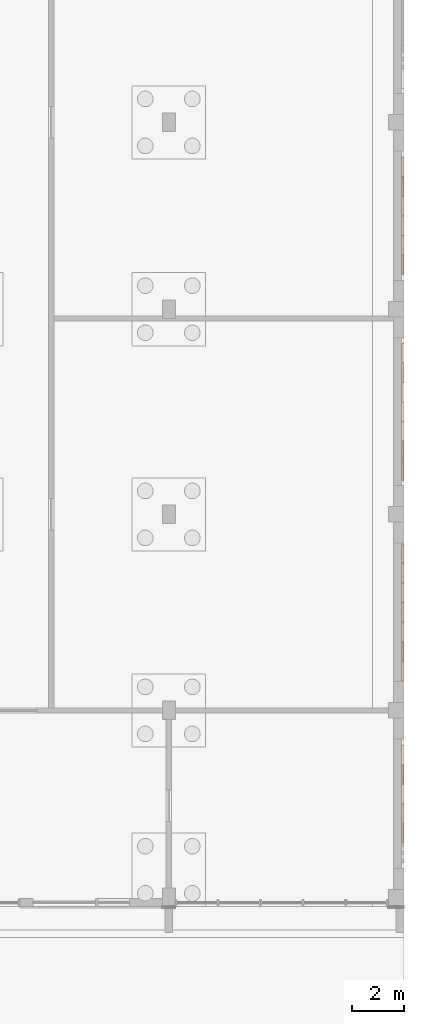
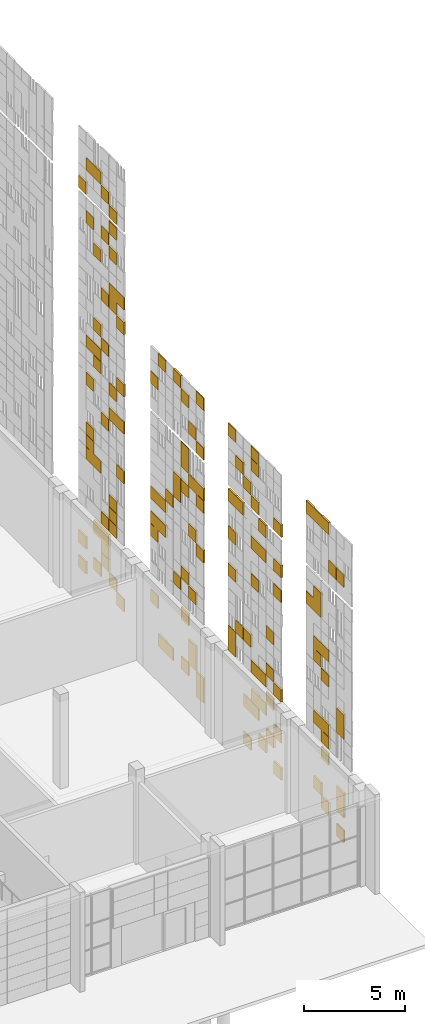
# One storey, part 105 of 125: 1 covering.
"""IFC4 building model written with IfcOpenShell, lengths in metres."""

from ifc_helpers import new_model, si_unit, direction, frame, origin, origin_2d, place, context, subcontext, project, spatial, rectangle, extrude, material, layer, layer_set, type_object, element, save


model = new_model("IFC4")

# Units and contexts
model_context = context("Model", 3, precision=1e-05, world=origin(), true_north=direction((0.0, 1.0)))
body_context = subcontext(model_context, "Body", "Model", "MODEL_VIEW")
ifc_project = project(units=[si_unit("LENGTHUNIT", "METRE"), si_unit("AREAUNIT", "SQUARE_METRE"), si_unit("VOLUMEUNIT", "CUBIC_METRE"), si_unit("PLANEANGLEUNIT", "RADIAN"), si_unit("MASSUNIT", "GRAM", prefix="KILO")], contexts=[model_context])

# Site, building, storey
site_placement = place(None, origin())
site = spatial("IfcSite", under=ifc_project, at=site_placement, CompositionType="ELEMENT")
building_placement = place(site_placement, origin())
building = spatial("IfcBuilding", under=site, at=building_placement, Name="Sun Court Science Centre", CompositionType="ELEMENT")
storey_placement = place(building_placement, origin())
storey = spatial("IfcBuildingStorey", under=building, at=storey_placement, Name="L00", CompositionType="ELEMENT", Elevation=0.0)

# Covering
ifc_material = material(Name="Terracotta shade 2", Category="masonry")
ifc_layer = layer(ifc_material, 0.06005859375)
ifc_layer_set = layer_set([ifc_layer], Name="Terracotta shade 2")
covering_type = type_object("IfcCoveringType", Name="Terracotta pixel panel shade 2", PredefinedType="CLADDING", material=ifc_layer_set)
covering_placement = place(storey_placement, origin())
element("IfcCovering", 1, at=covering_placement, inside=storey, type_object=covering_type, Name="Terracotta pixel cladding shade 2 east party wall L00", PredefinedType="CLADDING", context=body_context, shape_type="SweptSolid", body=[
    extrude(rectangle(XDim=0.739990234375, YDim=0.10009765625, at=origin_2d()), frame((103.949951171875, 10.300048828125, 1.72998046875), z_axis=(0.0, 0.0, 1.0), x_axis=(0.0, -1.0, 0.0)), (0.0, 0.0, 1.0), 0.739990234375),
    extrude(rectangle(XDim=0.739990234375, YDim=0.10009765625, at=origin_2d()), frame((103.949951171875, 11.050048828125, 2.47998046875), z_axis=(0.0, 0.0, 1.0), x_axis=(0.0, -1.0, 0.0)), (0.0, 0.0, 1.0), 0.739990234375),
    extrude(rectangle(XDim=0.739990234375, YDim=0.10009765625, at=origin_2d()), frame((103.949951171875, 8.800048828125, 2.47998046875), z_axis=(0.0, 0.0, 1.0), x_axis=(0.0, -1.0, 0.0)), (0.0, 0.0, 1.0), 0.739990234375),
    extrude(rectangle(XDim=0.739990234375, YDim=0.10009765625, at=origin_2d()), frame((103.949951171875, 8.800048828125, 3.22998046875), z_axis=(0.0, 0.0, 1.0), x_axis=(0.0, -1.0, 0.0)), (0.0, 0.0, 1.0), 0.739990234375),
    extrude(rectangle(XDim=0.739990234375, YDim=0.06005859375, at=origin_2d()), frame((103.929931640625, 10.300048828125, 4.72998046875), z_axis=(0.0, 0.0, 1.0), x_axis=(0.0, -1.0, 0.0)), (0.0, 0.0, 1.0), 0.739990234375),
    extrude(rectangle(XDim=0.739990234375, YDim=0.06005859375, at=origin_2d()), frame((103.929931640625, 18.0, 0.97998046875), z_axis=(0.0, 0.0, 1.0), x_axis=(0.0, -1.0, 0.0)), (0.0, 0.0, 1.0), 0.739990234375),
    extrude(rectangle(XDim=0.739990234375, YDim=0.10009765625, at=origin_2d()), frame((103.949951171875, 16.5, 1.72998046875), z_axis=(0.0, 0.0, 1.0), x_axis=(0.0, -1.0, 0.0)), (0.0, 0.0, 1.0), 0.739990234375),
    extrude(rectangle(XDim=0.739990234375, YDim=0.10009765625, at=origin_2d()), frame((103.949951171875, 15.75, 2.47998046875), z_axis=(0.0, 0.0, 1.0), x_axis=(0.0, -1.0, 0.0)), (0.0, 0.0, 1.0), 0.739990234375),
    extrude(rectangle(XDim=0.739990234375, YDim=0.06005859375, at=origin_2d()), frame((103.929931640625, 18.0, 3.22998046875), z_axis=(0.0, 0.0, 1.0), x_axis=(0.0, -1.0, 0.0)), (0.0, 0.0, 1.0), 0.739990234375),
    extrude(rectangle(XDim=0.739990234375, YDim=0.10009765625, at=origin_2d()), frame((103.949951171875, 17.25, 3.22998046875), z_axis=(0.0, 0.0, 1.0), x_axis=(0.0, -1.0, 0.0)), (0.0, 0.0, 1.0), 0.739990234375),
    extrude(rectangle(XDim=0.739990234375, YDim=0.06005859375, at=origin_2d()), frame((103.929931640625, 15.0, 3.22998046875), z_axis=(0.0, 0.0, 1.0), x_axis=(0.0, -1.0, 0.0)), (0.0, 0.0, 1.0), 0.739990234375),
    extrude(rectangle(XDim=0.739990234375, YDim=0.10009765625, at=origin_2d()), frame((103.949951171875, 17.25, 3.97998046875), z_axis=(0.0, 0.0, 1.0), x_axis=(0.0, -1.0, 0.0)), (0.0, 0.0, 1.0), 0.739990234375),
    extrude(rectangle(XDim=0.739990234375, YDim=0.06005859375, at=origin_2d()), frame((103.929931640625, 16.5, 3.97998046875), z_axis=(0.0, 0.0, 1.0), x_axis=(0.0, -1.0, 0.0)), (0.0, 0.0, 1.0), 0.739990234375),
    extrude(rectangle(XDim=0.739990234375, YDim=0.06005859375, at=origin_2d()), frame((103.929931640625, 15.75, 4.72998046875), z_axis=(0.0, 0.0, 1.0), x_axis=(0.0, -1.0, 0.0)), (0.0, 0.0, 1.0), 0.739990234375),
    extrude(rectangle(XDim=0.739990234375, YDim=0.06005859375, at=origin_2d()), frame((103.929931640625, 22.675048828125, 0.97998046875), z_axis=(0.0, 0.0, 1.0), x_axis=(0.0, -1.0, 0.0)), (0.0, 0.0, 1.0), 0.739990234375),
    extrude(rectangle(XDim=0.739990234375, YDim=0.10009765625, at=origin_2d()), frame((103.949951171875, 26.425048828125, 1.72998046875), z_axis=(0.0, 0.0, 1.0), x_axis=(0.0, -1.0, 0.0)), (0.0, 0.0, 1.0), 0.739990234375),
    extrude(rectangle(XDim=0.739990234375, YDim=0.06005859375, at=origin_2d()), frame((103.929931640625, 25.675048828125, 1.72998046875), z_axis=(0.0, 0.0, 1.0), x_axis=(0.0, -1.0, 0.0)), (0.0, 0.0, 1.0), 0.739990234375),
    extrude(rectangle(XDim=0.739990234375, YDim=0.10009765625, at=origin_2d()), frame((103.949951171875, 24.175048828125, 1.72998046875), z_axis=(0.0, 0.0, 1.0), x_axis=(0.0, -1.0, 0.0)), (0.0, 0.0, 1.0), 0.739990234375),
    extrude(rectangle(XDim=0.739990234375, YDim=0.10009765625, at=origin_2d()), frame((103.949951171875, 22.675048828125, 1.72998046875), z_axis=(0.0, 0.0, 1.0), x_axis=(0.0, -1.0, 0.0)), (0.0, 0.0, 1.0), 0.739990234375),
    extrude(rectangle(XDim=0.739990234375, YDim=0.10009765625, at=origin_2d()), frame((103.949951171875, 23.425048828125, 2.47998046875), z_axis=(0.0, 0.0, 1.0), x_axis=(0.0, -1.0, 0.0)), (0.0, 0.0, 1.0), 0.739990234375),
    extrude(rectangle(XDim=0.739990234375, YDim=0.10009765625, at=origin_2d()), frame((103.949951171875, 23.425048828125, 3.22998046875), z_axis=(0.0, 0.0, 1.0), x_axis=(0.0, -1.0, 0.0)), (0.0, 0.0, 1.0), 0.739990234375),
    extrude(rectangle(XDim=0.739990234375, YDim=0.06005859375, at=origin_2d()), frame((103.929931640625, 27.175048828125, 3.97998046875), z_axis=(0.0, 0.0, 1.0), x_axis=(0.0, -1.0, 0.0)), (0.0, 0.0, 1.0), 0.739990234375),
    extrude(rectangle(XDim=0.739990234375, YDim=0.10009765625, at=origin_2d()), frame((103.949951171875, 24.175048828125, 4.72998046875), z_axis=(0.0, 0.0, 1.0), x_axis=(0.0, -1.0, 0.0)), (0.0, 0.0, 1.0), 0.739990234375),
    extrude(rectangle(XDim=0.739990234375, YDim=0.10009765625, at=origin_2d()), frame((103.949951171875, 34.300048828125, 1.72998046875), z_axis=(0.0, 0.0, 1.0), x_axis=(0.0, -1.0, 0.0)), (0.0, 0.0, 1.0), 0.739990234375),
    extrude(rectangle(XDim=0.739990234375, YDim=0.06005859375, at=origin_2d()), frame((103.929931640625, 30.550048828125, 1.72998046875), z_axis=(0.0, 0.0, 1.0), x_axis=(0.0, -1.0, 0.0)), (0.0, 0.0, 1.0), 0.739990234375),
    extrude(rectangle(XDim=0.739990234375, YDim=0.06005859375, at=origin_2d()), frame((103.929931640625, 32.800048828125, 2.47998046875), z_axis=(0.0, 0.0, 1.0), x_axis=(0.0, -1.0, 0.0)), (0.0, 0.0, 1.0), 0.739990234375),
    extrude(rectangle(XDim=0.739990234375, YDim=0.06005859375, at=origin_2d()), frame((103.929931640625, 31.300048828125, 2.47998046875), z_axis=(0.0, 0.0, 1.0), x_axis=(0.0, -1.0, 0.0)), (0.0, 0.0, 1.0), 0.739990234375),
    extrude(rectangle(XDim=0.739990234375, YDim=0.10009765625, at=origin_2d()), frame((103.949951171875, 34.300048828125, 3.22998046875), z_axis=(0.0, 0.0, 1.0), x_axis=(0.0, -1.0, 0.0)), (0.0, 0.0, 1.0), 0.739990234375),
    extrude(rectangle(XDim=0.739990234375, YDim=0.10009765625, at=origin_2d()), frame((103.949951171875, 32.050048828125, 3.22998046875), z_axis=(0.0, 0.0, 1.0), x_axis=(0.0, -1.0, 0.0)), (0.0, 0.0, 1.0), 0.739990234375),
    extrude(rectangle(XDim=0.739990234375, YDim=0.10009765625, at=origin_2d()), frame((103.949951171875, 32.050048828125, 3.97998046875), z_axis=(0.0, 0.0, 1.0), x_axis=(0.0, -1.0, 0.0)), (0.0, 0.0, 1.0), 0.739990234375),
    extrude(rectangle(XDim=0.739990234375, YDim=0.10009765625, at=origin_2d()), frame((103.949951171875, 32.800048828125, 4.72998046875), z_axis=(0.0, 0.0, 1.0), x_axis=(0.0, -1.0, 0.0)), (0.0, 0.0, 1.0), 0.739990234375),
    extrude(rectangle(XDim=0.739990234375, YDim=0.10009765625, at=origin_2d()), frame((103.949951171875, 32.050048828125, 4.72998046875), z_axis=(0.0, 0.0, 1.0), x_axis=(0.0, -1.0, 0.0)), (0.0, 0.0, 1.0), 0.739990234375),
    extrude(rectangle(XDim=0.739990234375, YDim=0.10009765625, at=origin_2d()), frame((103.949951171875, 10.300048828125, 5.705078125), z_axis=(0.0, 0.0, 1.0), x_axis=(0.0, -1.0, 0.0)), (0.0, 0.0, 1.0), 0.739990234375),
    extrude(rectangle(XDim=0.739990234375, YDim=0.10009765625, at=origin_2d()), frame((103.949951171875, 11.050048828125, 6.455078125), z_axis=(0.0, 0.0, 1.0), x_axis=(0.0, -1.0, 0.0)), (0.0, 0.0, 1.0), 0.739990234375),
    extrude(rectangle(XDim=0.739990234375, YDim=0.10009765625, at=origin_2d()), frame((103.949951171875, 10.300048828125, 6.455078125), z_axis=(0.0, 0.0, 1.0), x_axis=(0.0, -1.0, 0.0)), (0.0, 0.0, 1.0), 0.739990234375),
    extrude(rectangle(XDim=0.739990234375, YDim=0.06005859375, at=origin_2d()), frame((103.929931640625, 8.800048828125, 7.205078125), z_axis=(0.0, 0.0, 1.0), x_axis=(0.0, -1.0, 0.0)), (0.0, 0.0, 1.0), 0.739990234375),
    extrude(rectangle(XDim=0.739990234375, YDim=0.10009765625, at=origin_2d()), frame((103.949951171875, 8.800048828125, 7.955078125), z_axis=(0.0, 0.0, 1.0), x_axis=(0.0, -1.0, 0.0)), (0.0, 0.0, 1.0), 0.739990234375),
    extrude(rectangle(XDim=0.739990234375, YDim=0.06005859375, at=origin_2d()), frame((103.929931640625, 10.300048828125, 9.455078125), z_axis=(0.0, 0.0, 1.0), x_axis=(0.0, -1.0, 0.0)), (0.0, 0.0, 1.0), 0.739990234375),
    extrude(rectangle(XDim=0.739990234375, YDim=0.10009765625, at=origin_2d()), frame((103.949951171875, 11.050048828125, 10.205078125), z_axis=(0.0, 0.0, 1.0), x_axis=(0.0, -1.0, 0.0)), (0.0, 0.0, 1.0), 0.739990234375),
    extrude(rectangle(XDim=0.739990234375, YDim=0.06005859375, at=origin_2d()), frame((103.929931640625, 19.5, 5.705078125), z_axis=(0.0, 0.0, 1.0), x_axis=(0.0, -1.0, 0.0)), (0.0, 0.0, 1.0), 0.739990234375),
    extrude(rectangle(XDim=0.739990234375, YDim=0.10009765625, at=origin_2d()), frame((103.949951171875, 17.25, 5.705078125), z_axis=(0.0, 0.0, 1.0), x_axis=(0.0, -1.0, 0.0)), (0.0, 0.0, 1.0), 0.739990234375),
    extrude(rectangle(XDim=0.739990234375, YDim=0.10009765625, at=origin_2d()), frame((103.949951171875, 16.5, 5.705078125), z_axis=(0.0, 0.0, 1.0), x_axis=(0.0, -1.0, 0.0)), (0.0, 0.0, 1.0), 0.739990234375),
    extrude(rectangle(XDim=0.739990234375, YDim=0.10009765625, at=origin_2d()), frame((103.949951171875, 15.0, 5.705078125), z_axis=(0.0, 0.0, 1.0), x_axis=(0.0, -1.0, 0.0)), (0.0, 0.0, 1.0), 0.739990234375),
    extrude(rectangle(XDim=0.739990234375, YDim=0.06005859375, at=origin_2d()), frame((103.929931640625, 19.5, 6.455078125), z_axis=(0.0, 0.0, 1.0), x_axis=(0.0, -1.0, 0.0)), (0.0, 0.0, 1.0), 0.739990234375),
    extrude(rectangle(XDim=0.739990234375, YDim=0.06005859375, at=origin_2d()), frame((103.929931640625, 15.75, 6.455078125), z_axis=(0.0, 0.0, 1.0), x_axis=(0.0, -1.0, 0.0)), (0.0, 0.0, 1.0), 0.739990234375),
    extrude(rectangle(XDim=0.739990234375, YDim=0.06005859375, at=origin_2d()), frame((103.929931640625, 18.75, 7.205078125), z_axis=(0.0, 0.0, 1.0), x_axis=(0.0, -1.0, 0.0)), (0.0, 0.0, 1.0), 0.739990234375),
    extrude(rectangle(XDim=0.739990234375, YDim=0.10009765625, at=origin_2d()), frame((103.949951171875, 18.0, 7.205078125), z_axis=(0.0, 0.0, 1.0), x_axis=(0.0, -1.0, 0.0)), (0.0, 0.0, 1.0), 0.739990234375),
    extrude(rectangle(XDim=0.739990234375, YDim=0.06005859375, at=origin_2d()), frame((103.929931640625, 15.75, 8.705078125), z_axis=(0.0, 0.0, 1.0), x_axis=(0.0, -1.0, 0.0)), (0.0, 0.0, 1.0), 0.739990234375),
    extrude(rectangle(XDim=0.739990234375, YDim=0.10009765625, at=origin_2d()), frame((103.949951171875, 19.5, 10.205078125), z_axis=(0.0, 0.0, 1.0), x_axis=(0.0, -1.0, 0.0)), (0.0, 0.0, 1.0), 0.739990234375),
    extrude(rectangle(XDim=0.739990234375, YDim=0.06005859375, at=origin_2d()), frame((103.929931640625, 24.925048828125, 6.455078125), z_axis=(0.0, 0.0, 1.0), x_axis=(0.0, -1.0, 0.0)), (0.0, 0.0, 1.0), 0.739990234375),
    extrude(rectangle(XDim=0.739990234375, YDim=0.10009765625, at=origin_2d()), frame((103.949951171875, 23.425048828125, 6.455078125), z_axis=(0.0, 0.0, 1.0), x_axis=(0.0, -1.0, 0.0)), (0.0, 0.0, 1.0), 0.739990234375),
    extrude(rectangle(XDim=0.739990234375, YDim=0.10009765625, at=origin_2d()), frame((103.949951171875, 24.175048828125, 7.205078125), z_axis=(0.0, 0.0, 1.0), x_axis=(0.0, -1.0, 0.0)), (0.0, 0.0, 1.0), 0.739990234375),
    extrude(rectangle(XDim=0.739990234375, YDim=0.06005859375, at=origin_2d()), frame((103.929931640625, 27.175048828125, 7.955078125), z_axis=(0.0, 0.0, 1.0), x_axis=(0.0, -1.0, 0.0)), (0.0, 0.0, 1.0), 0.739990234375),
    extrude(rectangle(XDim=0.739990234375, YDim=0.06005859375, at=origin_2d()), frame((103.929931640625, 27.175048828125, 8.705078125), z_axis=(0.0, 0.0, 1.0), x_axis=(0.0, -1.0, 0.0)), (0.0, 0.0, 1.0), 0.739990234375),
    extrude(rectangle(XDim=0.739990234375, YDim=0.10009765625, at=origin_2d()), frame((103.949951171875, 26.425048828125, 8.705078125), z_axis=(0.0, 0.0, 1.0), x_axis=(0.0, -1.0, 0.0)), (0.0, 0.0, 1.0), 0.739990234375),
    extrude(rectangle(XDim=0.739990234375, YDim=0.10009765625, at=origin_2d()), frame((103.949951171875, 22.675048828125, 9.455078125), z_axis=(0.0, 0.0, 1.0), x_axis=(0.0, -1.0, 0.0)), (0.0, 0.0, 1.0), 0.739990234375),
    extrude(rectangle(XDim=0.739990234375, YDim=0.06005859375, at=origin_2d()), frame((103.929931640625, 27.175048828125, 10.205078125), z_axis=(0.0, 0.0, 1.0), x_axis=(0.0, -1.0, 0.0)), (0.0, 0.0, 1.0), 0.739990234375),
    extrude(rectangle(XDim=0.739990234375, YDim=0.10009765625, at=origin_2d()), frame((103.949951171875, 26.425048828125, 10.205078125), z_axis=(0.0, 0.0, 1.0), x_axis=(0.0, -1.0, 0.0)), (0.0, 0.0, 1.0), 0.739990234375),
    extrude(rectangle(XDim=0.739990234375, YDim=0.10009765625, at=origin_2d()), frame((103.949951171875, 23.425048828125, 10.205078125), z_axis=(0.0, 0.0, 1.0), x_axis=(0.0, -1.0, 0.0)), (0.0, 0.0, 1.0), 0.739990234375),
    extrude(rectangle(XDim=0.739990234375, YDim=0.10009765625, at=origin_2d()), frame((103.949951171875, 32.050048828125, 5.705078125), z_axis=(0.0, 0.0, 1.0), x_axis=(0.0, -1.0, 0.0)), (0.0, 0.0, 1.0), 0.739990234375),
    extrude(rectangle(XDim=0.739990234375, YDim=0.10009765625, at=origin_2d()), frame((103.949951171875, 31.300048828125, 5.705078125), z_axis=(0.0, 0.0, 1.0), x_axis=(0.0, -1.0, 0.0)), (0.0, 0.0, 1.0), 0.739990234375),
    extrude(rectangle(XDim=0.739990234375, YDim=0.10009765625, at=origin_2d()), frame((103.949951171875, 31.300048828125, 6.455078125), z_axis=(0.0, 0.0, 1.0), x_axis=(0.0, -1.0, 0.0)), (0.0, 0.0, 1.0), 0.739990234375),
    extrude(rectangle(XDim=0.739990234375, YDim=0.10009765625, at=origin_2d()), frame((103.949951171875, 31.300048828125, 7.205078125), z_axis=(0.0, 0.0, 1.0), x_axis=(0.0, -1.0, 0.0)), (0.0, 0.0, 1.0), 0.739990234375),
    extrude(rectangle(XDim=0.739990234375, YDim=0.06005859375, at=origin_2d()), frame((103.929931640625, 33.550048828125, 8.705078125), z_axis=(0.0, 0.0, 1.0), x_axis=(0.0, -1.0, 0.0)), (0.0, 0.0, 1.0), 0.739990234375),
    extrude(rectangle(XDim=0.739990234375, YDim=0.06005859375, at=origin_2d()), frame((103.929931640625, 32.800048828125, 8.705078125), z_axis=(0.0, 0.0, 1.0), x_axis=(0.0, -1.0, 0.0)), (0.0, 0.0, 1.0), 0.739990234375),
    extrude(rectangle(XDim=0.739990234375, YDim=0.06005859375, at=origin_2d()), frame((103.929931640625, 33.550048828125, 9.455078125), z_axis=(0.0, 0.0, 1.0), x_axis=(0.0, -1.0, 0.0)), (0.0, 0.0, 1.0), 0.739990234375),
    extrude(rectangle(XDim=0.739990234375, YDim=0.06005859375, at=origin_2d()), frame((103.929931640625, 30.550048828125, 9.455078125), z_axis=(0.0, 0.0, 1.0), x_axis=(0.0, -1.0, 0.0)), (0.0, 0.0, 1.0), 0.739990234375),
    extrude(rectangle(XDim=0.739990234375, YDim=0.10009765625, at=origin_2d()), frame((103.949951171875, 33.550048828125, 10.205078125), z_axis=(0.0, 0.0, 1.0), x_axis=(0.0, -1.0, 0.0)), (0.0, 0.0, 1.0), 0.739990234375),
    extrude(rectangle(XDim=0.739990234375, YDim=0.06005859375, at=origin_2d()), frame((103.929931640625, 11.050048828125, 10.955078125), z_axis=(0.0, 0.0, 1.0), x_axis=(0.0, -1.0, 0.0)), (0.0, 0.0, 1.0), 0.739990234375),
    extrude(rectangle(XDim=0.739990234375, YDim=0.06005859375, at=origin_2d()), frame((103.929931640625, 10.300048828125, 10.955078125), z_axis=(0.0, 0.0, 1.0), x_axis=(0.0, -1.0, 0.0)), (0.0, 0.0, 1.0), 0.739990234375),
    extrude(rectangle(XDim=0.739990234375, YDim=0.06005859375, at=origin_2d()), frame((103.929931640625, 11.800048828125, 13.205078125), z_axis=(0.0, 0.0, 1.0), x_axis=(0.0, -1.0, 0.0)), (0.0, 0.0, 1.0), 0.739990234375),
    extrude(rectangle(XDim=0.739990234375, YDim=0.10009765625, at=origin_2d()), frame((103.949951171875, 11.050048828125, 13.205078125), z_axis=(0.0, 0.0, 1.0), x_axis=(0.0, -1.0, 0.0)), (0.0, 0.0, 1.0), 0.739990234375),
    extrude(rectangle(XDim=0.739990234375, YDim=0.10009765625, at=origin_2d()), frame((103.949951171875, 11.050048828125, 13.955078125), z_axis=(0.0, 0.0, 1.0), x_axis=(0.0, -1.0, 0.0)), (0.0, 0.0, 1.0), 0.739990234375),
    extrude(rectangle(XDim=0.739990234375, YDim=0.06005859375, at=origin_2d()), frame((103.929931640625, 17.25, 10.955078125), z_axis=(0.0, 0.0, 1.0), x_axis=(0.0, -1.0, 0.0)), (0.0, 0.0, 1.0), 0.739990234375),
    extrude(rectangle(XDim=0.739990234375, YDim=0.06005859375, at=origin_2d()), frame((103.929931640625, 15.0, 11.705078125), z_axis=(0.0, 0.0, 1.0), x_axis=(0.0, -1.0, 0.0)), (0.0, 0.0, 1.0), 0.739990234375),
    extrude(rectangle(XDim=0.739990234375, YDim=0.10009765625, at=origin_2d()), frame((103.949951171875, 19.5, 12.455078125), z_axis=(0.0, 0.0, 1.0), x_axis=(0.0, -1.0, 0.0)), (0.0, 0.0, 1.0), 0.739990234375),
    extrude(rectangle(XDim=0.739990234375, YDim=0.10009765625, at=origin_2d()), frame((103.949951171875, 17.25, 13.205078125), z_axis=(0.0, 0.0, 1.0), x_axis=(0.0, -1.0, 0.0)), (0.0, 0.0, 1.0), 0.739990234375),
    extrude(rectangle(XDim=0.739990234375, YDim=0.06005859375, at=origin_2d()), frame((103.929931640625, 16.5, 13.205078125), z_axis=(0.0, 0.0, 1.0), x_axis=(0.0, -1.0, 0.0)), (0.0, 0.0, 1.0), 0.739990234375),
    extrude(rectangle(XDim=0.739990234375, YDim=0.10009765625, at=origin_2d()), frame((103.949951171875, 15.0, 13.205078125), z_axis=(0.0, 0.0, 1.0), x_axis=(0.0, -1.0, 0.0)), (0.0, 0.0, 1.0), 0.739990234375),
    extrude(rectangle(XDim=0.739990234375, YDim=0.10009765625, at=origin_2d()), frame((103.949951171875, 19.5, 14.705078125), z_axis=(0.0, 0.0, 1.0), x_axis=(0.0, -1.0, 0.0)), (0.0, 0.0, 1.0), 0.739990234375),
    extrude(rectangle(XDim=0.739990234375, YDim=0.10009765625, at=origin_2d()), frame((103.949951171875, 18.75, 14.705078125), z_axis=(0.0, 0.0, 1.0), x_axis=(0.0, -1.0, 0.0)), (0.0, 0.0, 1.0), 0.739990234375),
    extrude(rectangle(XDim=0.739990234375, YDim=0.10009765625, at=origin_2d()), frame((103.949951171875, 16.5, 14.705078125), z_axis=(0.0, 0.0, 1.0), x_axis=(0.0, -1.0, 0.0)), (0.0, 0.0, 1.0), 0.739990234375),
    extrude(rectangle(XDim=0.739990234375, YDim=0.06005859375, at=origin_2d()), frame((103.929931640625, 25.675048828125, 10.955078125), z_axis=(0.0, 0.0, 1.0), x_axis=(0.0, -1.0, 0.0)), (0.0, 0.0, 1.0), 0.739990234375),
    extrude(rectangle(XDim=0.739990234375, YDim=0.06005859375, at=origin_2d()), frame((103.929931640625, 24.925048828125, 11.705078125), z_axis=(0.0, 0.0, 1.0), x_axis=(0.0, -1.0, 0.0)), (0.0, 0.0, 1.0), 0.739990234375),
    extrude(rectangle(XDim=0.739990234375, YDim=0.10009765625, at=origin_2d()), frame((103.949951171875, 24.925048828125, 12.455078125), z_axis=(0.0, 0.0, 1.0), x_axis=(0.0, -1.0, 0.0)), (0.0, 0.0, 1.0), 0.739990234375),
    extrude(rectangle(XDim=0.739990234375, YDim=0.10009765625, at=origin_2d()), frame((103.949951171875, 24.175048828125, 12.455078125), z_axis=(0.0, 0.0, 1.0), x_axis=(0.0, -1.0, 0.0)), (0.0, 0.0, 1.0), 0.739990234375),
    extrude(rectangle(XDim=0.739990234375, YDim=0.06005859375, at=origin_2d()), frame((103.929931640625, 22.675048828125, 12.455078125), z_axis=(0.0, 0.0, 1.0), x_axis=(0.0, -1.0, 0.0)), (0.0, 0.0, 1.0), 0.739990234375),
    extrude(rectangle(XDim=0.739990234375, YDim=0.06005859375, at=origin_2d()), frame((103.929931640625, 23.425048828125, 13.205078125), z_axis=(0.0, 0.0, 1.0), x_axis=(0.0, -1.0, 0.0)), (0.0, 0.0, 1.0), 0.739990234375),
    extrude(rectangle(XDim=0.739990234375, YDim=0.10009765625, at=origin_2d()), frame((103.949951171875, 22.675048828125, 13.205078125), z_axis=(0.0, 0.0, 1.0), x_axis=(0.0, -1.0, 0.0)), (0.0, 0.0, 1.0), 0.739990234375),
    extrude(rectangle(XDim=0.739990234375, YDim=0.06005859375, at=origin_2d()), frame((103.929931640625, 24.175048828125, 13.955078125), z_axis=(0.0, 0.0, 1.0), x_axis=(0.0, -1.0, 0.0)), (0.0, 0.0, 1.0), 0.739990234375),
    extrude(rectangle(XDim=0.739990234375, YDim=0.06005859375, at=origin_2d()), frame((103.929931640625, 24.175048828125, 14.705078125), z_axis=(0.0, 0.0, 1.0), x_axis=(0.0, -1.0, 0.0)), (0.0, 0.0, 1.0), 0.739990234375),
    extrude(rectangle(XDim=0.739990234375, YDim=0.10009765625, at=origin_2d()), frame((103.949951171875, 32.050048828125, 11.705078125), z_axis=(0.0, 0.0, 1.0), x_axis=(0.0, -1.0, 0.0)), (0.0, 0.0, 1.0), 0.739990234375),
    extrude(rectangle(XDim=0.739990234375, YDim=0.10009765625, at=origin_2d()), frame((103.949951171875, 31.300048828125, 12.455078125), z_axis=(0.0, 0.0, 1.0), x_axis=(0.0, -1.0, 0.0)), (0.0, 0.0, 1.0), 0.739990234375),
    extrude(rectangle(XDim=0.739990234375, YDim=0.06005859375, at=origin_2d()), frame((103.929931640625, 30.550048828125, 12.455078125), z_axis=(0.0, 0.0, 1.0), x_axis=(0.0, -1.0, 0.0)), (0.0, 0.0, 1.0), 0.739990234375),
    extrude(rectangle(XDim=0.739990234375, YDim=0.10009765625, at=origin_2d()), frame((103.949951171875, 33.550048828125, 13.205078125), z_axis=(0.0, 0.0, 1.0), x_axis=(0.0, -1.0, 0.0)), (0.0, 0.0, 1.0), 0.739990234375),
    extrude(rectangle(XDim=0.739990234375, YDim=0.10009765625, at=origin_2d()), frame((103.949951171875, 31.300048828125, 13.955078125), z_axis=(0.0, 0.0, 1.0), x_axis=(0.0, -1.0, 0.0)), (0.0, 0.0, 1.0), 0.739990234375),
    extrude(rectangle(XDim=0.739990234375, YDim=0.06005859375, at=origin_2d()), frame((103.929931640625, 32.800048828125, 14.705078125), z_axis=(0.0, 0.0, 1.0), x_axis=(0.0, -1.0, 0.0)), (0.0, 0.0, 1.0), 0.739990234375),
    extrude(rectangle(XDim=0.739990234375, YDim=0.10009765625, at=origin_2d()), frame((103.949951171875, 30.550048828125, 14.705078125), z_axis=(0.0, 0.0, 1.0), x_axis=(0.0, -1.0, 0.0)), (0.0, 0.0, 1.0), 0.739990234375),
    extrude(rectangle(XDim=0.739990234375, YDim=0.10009765625, at=origin_2d()), frame((103.949951171875, 9.550048828125, 16.40478515625), z_axis=(0.0, 0.0, 1.0), x_axis=(0.0, -1.0, 0.0)), (0.0, 0.0, 1.0), 0.739990234375),
    extrude(rectangle(XDim=0.739990234375, YDim=0.06005859375, at=origin_2d()), frame((103.929931640625, 8.800048828125, 16.40478515625), z_axis=(0.0, 0.0, 1.0), x_axis=(0.0, -1.0, 0.0)), (0.0, 0.0, 1.0), 0.739990234375),
    extrude(rectangle(XDim=0.739990234375, YDim=0.10009765625, at=origin_2d()), frame((103.949951171875, 11.800048828125, 18.65478515625), z_axis=(0.0, 0.0, 1.0), x_axis=(0.0, -1.0, 0.0)), (0.0, 0.0, 1.0), 0.739990234375),
    extrude(rectangle(XDim=0.739990234375, YDim=0.06005859375, at=origin_2d()), frame((103.929931640625, 11.050048828125, 18.65478515625), z_axis=(0.0, 0.0, 1.0), x_axis=(0.0, -1.0, 0.0)), (0.0, 0.0, 1.0), 0.739990234375),
    extrude(rectangle(XDim=0.739990234375, YDim=0.10009765625, at=origin_2d()), frame((103.949951171875, 10.300048828125, 18.65478515625), z_axis=(0.0, 0.0, 1.0), x_axis=(0.0, -1.0, 0.0)), (0.0, 0.0, 1.0), 0.739990234375),
    extrude(rectangle(XDim=0.739990234375, YDim=0.10009765625, at=origin_2d()), frame((103.949951171875, 17.25, 15.65478515625), z_axis=(0.0, 0.0, 1.0), x_axis=(0.0, -1.0, 0.0)), (0.0, 0.0, 1.0), 0.739990234375),
    extrude(rectangle(XDim=0.739990234375, YDim=0.10009765625, at=origin_2d()), frame((103.949951171875, 15.0, 15.65478515625), z_axis=(0.0, 0.0, 1.0), x_axis=(0.0, -1.0, 0.0)), (0.0, 0.0, 1.0), 0.739990234375),
    extrude(rectangle(XDim=0.739990234375, YDim=0.10009765625, at=origin_2d()), frame((103.949951171875, 18.0, 16.40478515625), z_axis=(0.0, 0.0, 1.0), x_axis=(0.0, -1.0, 0.0)), (0.0, 0.0, 1.0), 0.739990234375),
    extrude(rectangle(XDim=0.739990234375, YDim=0.10009765625, at=origin_2d()), frame((103.949951171875, 18.75, 17.15478515625), z_axis=(0.0, 0.0, 1.0), x_axis=(0.0, -1.0, 0.0)), (0.0, 0.0, 1.0), 0.739990234375),
    extrude(rectangle(XDim=0.739990234375, YDim=0.06005859375, at=origin_2d()), frame((103.929931640625, 17.25, 17.90478515625), z_axis=(0.0, 0.0, 1.0), x_axis=(0.0, -1.0, 0.0)), (0.0, 0.0, 1.0), 0.739990234375),
    extrude(rectangle(XDim=0.739990234375, YDim=0.06005859375, at=origin_2d()), frame((103.929931640625, 19.5, 18.65478515625), z_axis=(0.0, 0.0, 1.0), x_axis=(0.0, -1.0, 0.0)), (0.0, 0.0, 1.0), 0.739990234375),
    extrude(rectangle(XDim=0.739990234375, YDim=0.06005859375, at=origin_2d()), frame((103.929931640625, 17.25, 18.65478515625), z_axis=(0.0, 0.0, 1.0), x_axis=(0.0, -1.0, 0.0)), (0.0, 0.0, 1.0), 0.739990234375),
    extrude(rectangle(XDim=0.739990234375, YDim=0.06005859375, at=origin_2d()), frame((103.929931640625, 22.675048828125, 15.65478515625), z_axis=(0.0, 0.0, 1.0), x_axis=(0.0, -1.0, 0.0)), (0.0, 0.0, 1.0), 0.739990234375),
    extrude(rectangle(XDim=0.739990234375, YDim=0.06005859375, at=origin_2d()), frame((103.929931640625, 23.425048828125, 16.40478515625), z_axis=(0.0, 0.0, 1.0), x_axis=(0.0, -1.0, 0.0)), (0.0, 0.0, 1.0), 0.739990234375),
    extrude(rectangle(XDim=0.739990234375, YDim=0.06005859375, at=origin_2d()), frame((103.929931640625, 27.175048828125, 17.15478515625), z_axis=(0.0, 0.0, 1.0), x_axis=(0.0, -1.0, 0.0)), (0.0, 0.0, 1.0), 0.739990234375),
    extrude(rectangle(XDim=0.739990234375, YDim=0.10009765625, at=origin_2d()), frame((103.949951171875, 24.175048828125, 17.90478515625), z_axis=(0.0, 0.0, 1.0), x_axis=(0.0, -1.0, 0.0)), (0.0, 0.0, 1.0), 0.739990234375),
    extrude(rectangle(XDim=0.739990234375, YDim=0.06005859375, at=origin_2d()), frame((103.929931640625, 26.425048828125, 18.65478515625), z_axis=(0.0, 0.0, 1.0), x_axis=(0.0, -1.0, 0.0)), (0.0, 0.0, 1.0), 0.739990234375),
    extrude(rectangle(XDim=0.739990234375, YDim=0.10009765625, at=origin_2d()), frame((103.949951171875, 24.925048828125, 18.65478515625), z_axis=(0.0, 0.0, 1.0), x_axis=(0.0, -1.0, 0.0)), (0.0, 0.0, 1.0), 0.739990234375),
    extrude(rectangle(XDim=0.739990234375, YDim=0.06005859375, at=origin_2d()), frame((103.929931640625, 22.675048828125, 18.65478515625), z_axis=(0.0, 0.0, 1.0), x_axis=(0.0, -1.0, 0.0)), (0.0, 0.0, 1.0), 0.739990234375),
    extrude(rectangle(XDim=0.739990234375, YDim=0.06005859375, at=origin_2d()), frame((103.929931640625, 33.550048828125, 15.455078125), z_axis=(0.0, 0.0, 1.0), x_axis=(0.0, -1.0, 0.0)), (0.0, 0.0, 1.0), 0.739990234375),
    extrude(rectangle(XDim=0.739990234375, YDim=0.06005859375, at=origin_2d()), frame((103.929931640625, 32.800048828125, 15.455078125), z_axis=(0.0, 0.0, 1.0), x_axis=(0.0, -1.0, 0.0)), (0.0, 0.0, 1.0), 0.739990234375),
    extrude(rectangle(XDim=0.739990234375, YDim=0.06005859375, at=origin_2d()), frame((103.929931640625, 32.050048828125, 16.205078125), z_axis=(0.0, 0.0, 1.0), x_axis=(0.0, -1.0, 0.0)), (0.0, 0.0, 1.0), 0.739990234375),
    extrude(rectangle(XDim=0.739990234375, YDim=0.10009765625, at=origin_2d()), frame((103.949951171875, 32.800048828125, 16.955078125), z_axis=(0.0, 0.0, 1.0), x_axis=(0.0, -1.0, 0.0)), (0.0, 0.0, 1.0), 0.739990234375),
    extrude(rectangle(XDim=0.739990234375, YDim=0.10009765625, at=origin_2d()), frame((103.949951171875, 30.550048828125, 18.455078125), z_axis=(0.0, 0.0, 1.0), x_axis=(0.0, -1.0, 0.0)), (0.0, 0.0, 1.0), 0.739990234375),
    extrude(rectangle(XDim=0.739990234375, YDim=0.10009765625, at=origin_2d()), frame((103.949951171875, 32.050048828125, 19.205078125), z_axis=(0.0, 0.0, 1.0), x_axis=(0.0, -1.0, 0.0)), (0.0, 0.0, 1.0), 0.739990234375),
    extrude(rectangle(XDim=0.739990234375, YDim=0.10009765625, at=origin_2d()), frame((103.949951171875, 31.300048828125, 19.205078125), z_axis=(0.0, 0.0, 1.0), x_axis=(0.0, -1.0, 0.0)), (0.0, 0.0, 1.0), 0.739990234375),
    extrude(rectangle(XDim=0.739990234375, YDim=0.06005859375, at=origin_2d()), frame((103.929931640625, 31.300048828125, 19.955078125), z_axis=(0.0, 0.0, 1.0), x_axis=(0.0, -1.0, 0.0)), (0.0, 0.0, 1.0), 0.739990234375),
    extrude(rectangle(XDim=0.739990234375, YDim=0.06005859375, at=origin_2d()), frame((103.929931640625, 30.550048828125, 19.955078125), z_axis=(0.0, 0.0, 1.0), x_axis=(0.0, -1.0, 0.0)), (0.0, 0.0, 1.0), 0.739990234375),
    extrude(rectangle(XDim=0.739990234375, YDim=0.10009765625, at=origin_2d()), frame((103.949951171875, 32.800048828125, 21.455078125), z_axis=(0.0, 0.0, 1.0), x_axis=(0.0, -1.0, 0.0)), (0.0, 0.0, 1.0), 0.739990234375),
    extrude(rectangle(XDim=0.739990234375, YDim=0.10009765625, at=origin_2d()), frame((103.949951171875, 31.300048828125, 22.205078125), z_axis=(0.0, 0.0, 1.0), x_axis=(0.0, -1.0, 0.0)), (0.0, 0.0, 1.0), 0.739990234375),
    extrude(rectangle(XDim=0.739990234375, YDim=0.06005859375, at=origin_2d()), frame((103.929931640625, 33.550048828125, 22.955078125), z_axis=(0.0, 0.0, 1.0), x_axis=(0.0, -1.0, 0.0)), (0.0, 0.0, 1.0), 0.739990234375),
    extrude(rectangle(XDim=0.739990234375, YDim=0.06005859375, at=origin_2d()), frame((103.929931640625, 32.050048828125, 22.955078125), z_axis=(0.0, 0.0, 1.0), x_axis=(0.0, -1.0, 0.0)), (0.0, 0.0, 1.0), 0.739990234375),
    extrude(rectangle(XDim=0.739990234375, YDim=0.06005859375, at=origin_2d()), frame((103.929931640625, 31.300048828125, 23.705078125), z_axis=(0.0, 0.0, 1.0), x_axis=(0.0, -1.0, 0.0)), (0.0, 0.0, 1.0), 0.739990234375),
    extrude(rectangle(XDim=0.739990234375, YDim=0.10009765625, at=origin_2d()), frame((103.949951171875, 34.300048828125, 24.65478515625), z_axis=(0.0, 0.0, 1.0), x_axis=(0.0, -1.0, 0.0)), (0.0, 0.0, 1.0), 0.739990234375),
    extrude(rectangle(XDim=0.739990234375, YDim=0.10009765625, at=origin_2d()), frame((103.949951171875, 31.300048828125, 24.65478515625), z_axis=(0.0, 0.0, 1.0), x_axis=(0.0, -1.0, 0.0)), (0.0, 0.0, 1.0), 0.739990234375),
    extrude(rectangle(XDim=0.739990234375, YDim=0.10009765625, at=origin_2d()), frame((103.949951171875, 32.050048828125, 25.40478515625), z_axis=(0.0, 0.0, 1.0), x_axis=(0.0, -1.0, 0.0)), (0.0, 0.0, 1.0), 0.739990234375),
    extrude(rectangle(XDim=0.739990234375, YDim=0.06005859375, at=origin_2d()), frame((103.929931640625, 33.550048828125, 26.15478515625), z_axis=(0.0, 0.0, 1.0), x_axis=(0.0, -1.0, 0.0)), (0.0, 0.0, 1.0), 0.739990234375),
    extrude(rectangle(XDim=0.739990234375, YDim=0.10009765625, at=origin_2d()), frame((103.949951171875, 32.800048828125, 26.15478515625), z_axis=(0.0, 0.0, 1.0), x_axis=(0.0, -1.0, 0.0)), (0.0, 0.0, 1.0), 0.739990234375),
    extrude(rectangle(XDim=0.739990234375, YDim=0.06005859375, at=origin_2d()), frame((103.929931640625, 8.800048828125, 0.97998046875), z_axis=(0.0, 0.0, 1.0), x_axis=(0.0, -1.0, 0.0)), (0.0, 0.0, 1.0), 0.739990234375),
    extrude(rectangle(XDim=0.739990234375, YDim=0.10009765625, at=origin_2d()), frame((103.949951171875, 15.0, 0.97998046875), z_axis=(0.0, 0.0, 1.0), x_axis=(0.0, -1.0, 0.0)), (0.0, 0.0, 1.0), 0.739990234375),
])

save(model, "model.ifc")
